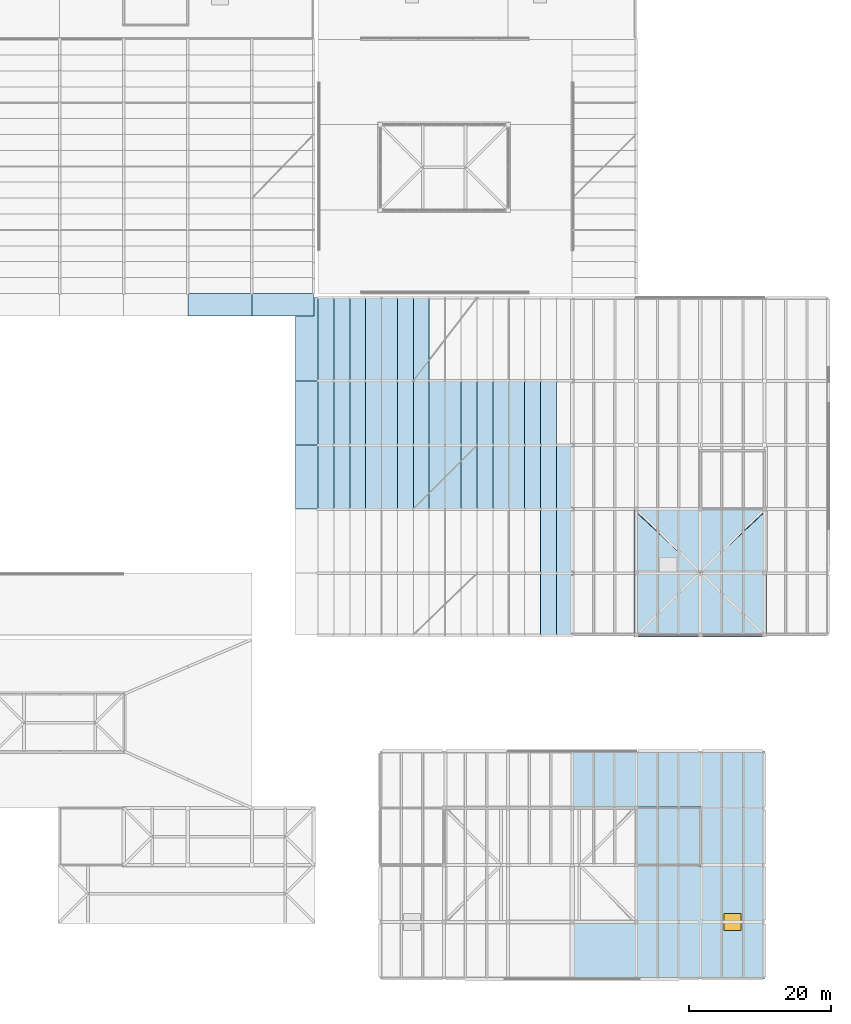
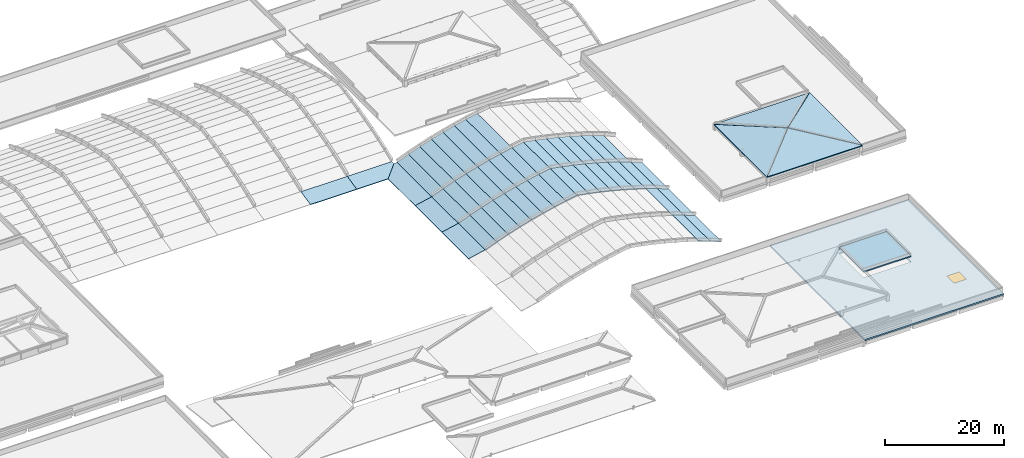
"""IFC4 building model written with IfcOpenShell, lengths in metres."""

from ifc_helpers import new_model, si_unit, direction, frame, origin, origin_2d, place, context, subcontext, project, spatial, polyline, rectangle, outline, extrude, material, layer, layer_set, type_object, element, fill, aggregate, save


model = new_model("IFC4")

# Units and contexts
model_context = context("Model", 3, precision=1e-05, world=origin(), true_north=direction((0.0, 1.0)))
body_context = subcontext(model_context, "Body", "Model", "MODEL_VIEW")
ifc_project = project(units=[si_unit("LENGTHUNIT", "METRE"), si_unit("AREAUNIT", "SQUARE_METRE"), si_unit("VOLUMEUNIT", "CUBIC_METRE"), si_unit("PLANEANGLEUNIT", "RADIAN"), si_unit("MASSUNIT", "GRAM", prefix="KILO")], contexts=[model_context])

# Site, building, storey
site_placement = place(None, origin())
site = spatial("IfcSite", under=ifc_project, at=site_placement, CompositionType="ELEMENT")
building_placement = place(site_placement, origin())
building = spatial("IfcBuilding", under=site, at=building_placement, Name="Zacnel Wholesale Market", CompositionType="ELEMENT")
storey_1_placement = place(building_placement, frame((0.0, 0.0, 20.300048828125)))
storey_1 = spatial("IfcBuildingStorey", under=building, at=storey_1_placement, Name="RF", CompositionType="ELEMENT", Elevation=20.300048828125)

# Slab
ifc_material_1 = material(Name="Precast concrete C45/55", Category="concrete")
ifc_layer_1 = layer(ifc_material_1, 0.239990234375)
ifc_layer_set_1 = layer_set([ifc_layer_1], Name="Precast concrete C45/55")
slab_type_1 = type_object("IfcSlabType", Name="SLB-CORE-RF240", PredefinedType="ROOF", material=ifc_layer_set_1)
slab_1_placement = place(storey_1_placement, frame((0.0, 0.0, 1.010009765625)))
element("IfcSlab", 1, at=slab_1_placement, inside=storey_1, type_object=slab_type_1, Name="Core C2 roof cap slab", PredefinedType="ROOF", context=body_context, shape_type="SweptSolid", body=[
    extrude(outline(polyline([(188.875, 15.875), (198.125, 15.875), (198.125, 24.125), (188.875, 24.125), (188.875, 15.875)])), origin(), (0.0, 0.0, 1.0), 0.239990234375),
])

# Roof, slab
ifc_material_2 = material(Name="Concrete C40/50", Category="concrete")
ifc_layer_2 = layer(ifc_material_2, 0.110107421875)
ifc_layer_set_2 = layer_set([ifc_layer_2], Name="Concrete C40/50")
roof_type_1 = type_object("IfcRoofType", Name="ROOF-BARREL-36M", PredefinedType="BARREL_ROOF", material=ifc_layer_set_2)
roof_1_placement = place(storey_1_placement, origin())
roof_1 = element("IfcRoof", 2, at=roof_1_placement, inside=storey_1, type_object=roof_type_1, Name="Parabolic barrel-shell roof V1N-W-07", PredefinedType="BARREL_ROOF")
ifc_material_3 = material(Name="Concrete C40/50", Category="concrete")
ifc_layer_3 = layer(ifc_material_3, 0.1298828125)
ifc_layer_set_3 = layer_set([ifc_layer_3], Name="Concrete C40/50")
slab_type_2 = type_object("IfcSlabType", Name="SLB-ROOF-EAVE-130", PredefinedType="ROOF", material=ifc_layer_set_3)
slab_2_placement = place(storey_1_placement, frame((126.0, 93.10009765625, -9.800048828125), z_axis=(0.0, -0.213685764849, 0.976902448508), x_axis=(1.0, 0.0, 0.0)))
slab_2 = element("IfcSlab", 3, at=slab_2_placement, type_object=slab_type_2, Name="Storm eave shell leaf V1N-W-07", PredefinedType="ROOF", context=body_context, shape_type="SweptSolid", body=[
    extrude(outline(polyline([(0.0, 0.0), (9.0, 0.0), (9.0, 3.2756097364297494), (0.0, 3.2756097364297494), (0.0, 0.0)])), origin(), (0.0, 0.0, -1.0), 0.1298828125),
])
aggregate(roof_1, [slab_2])

roof_2_placement = place(storey_1_placement, origin())
roof_2 = element("IfcRoof", 4, at=roof_2_placement, inside=storey_1, type_object=roof_type_1, Name="Parabolic barrel-shell roof V1N-W-08", PredefinedType="BARREL_ROOF")
slab_3_placement = place(storey_1_placement, frame((135.0, 93.10009765625, -9.800048828125), z_axis=(0.0, -0.213685764849, 0.976902448508), x_axis=(1.0, 0.0, 0.0)))
slab_3 = element("IfcSlab", 5, at=slab_3_placement, type_object=slab_type_2, Name="Storm eave shell leaf V1N-W-08", PredefinedType="ROOF", context=body_context, shape_type="SweptSolid", body=[
    extrude(outline(polyline([(0.0, 0.0), (8.699951171875, 0.0), (8.699951171875, 3.275609736429749), (0.0, 3.275609736429749), (0.0, 0.0)])), origin(), (0.0, 0.0, -1.0), 0.1298828125),
])
aggregate(roof_2, [slab_3])

roof_3_placement = place(storey_1_placement, origin())
roof_3 = element("IfcRoof", 6, at=roof_3_placement, inside=storey_1, type_object=roof_type_1, Name="Parabolic barrel-shell roof V1E-03", PredefinedType="BARREL_ROOF")
slab_4_placement = place(storey_1_placement, frame((141.10009765625, 66.0, -9.800048828125), z_axis=(-0.213685764849, 0.0, 0.976902448508), x_axis=(0.0, 1.0, 0.0)))
slab_4 = element("IfcSlab", 7, at=slab_4_placement, type_object=slab_type_2, Name="Storm eave shell leaf V1E-03", PredefinedType="ROOF", context=body_context, shape_type="SweptSolid", body=[
    extrude(outline(polyline([(0.0, 0.0), (9.0, 0.0), (9.0, -3.2756097364297494), (0.0, -3.2756097364297494), (0.0, 0.0)])), origin(), (0.0, 0.0, -1.0), 0.1298828125),
])

roof_4_placement = place(storey_1_placement, origin())
roof_4 = element("IfcRoof", 8, at=roof_4_placement, inside=storey_1, type_object=roof_type_1, Name="Parabolic barrel-shell roof V1E-04", PredefinedType="BARREL_ROOF")
slab_5_placement = place(storey_1_placement, frame((141.10009765625, 75.0, -9.800048828125), z_axis=(-0.213685764849, 0.0, 0.976902448508), x_axis=(0.0, 1.0, 0.0)))
slab_5 = element("IfcSlab", 9, at=slab_5_placement, type_object=slab_type_2, Name="Storm eave shell leaf V1E-04", PredefinedType="ROOF", context=body_context, shape_type="SweptSolid", body=[
    extrude(outline(polyline([(0.0, 0.0), (9.0, 0.0), (9.0, -3.2756097364297494), (0.0, -3.2756097364297494), (0.0, 0.0)])), origin(), (0.0, 0.0, -1.0), 0.1298828125),
])

roof_5_placement = place(storey_1_placement, origin())
roof_5 = element("IfcRoof", 10, at=roof_5_placement, inside=storey_1, type_object=roof_type_1, Name="Parabolic barrel-shell roof V1E-05", PredefinedType="BARREL_ROOF")
slab_6_placement = place(storey_1_placement, frame((141.10009765625, 84.0, -9.800048828125), z_axis=(-0.213685764849, 0.0, 0.976902448508), x_axis=(0.0, 1.0, 0.0)))
slab_6 = element("IfcSlab", 11, at=slab_6_placement, type_object=slab_type_2, Name="Storm eave shell leaf V1E-05", PredefinedType="ROOF", context=body_context, shape_type="SweptSolid", body=[
    extrude(outline(polyline([(0.0, 0.0), (11.699951171875, 0.0), (11.699951171875, -3.2756097364297494), (0.0, -3.2756097364297494), (0.0, 0.0)])), origin(), (0.0, 0.0, -1.0), 0.1298828125),
])

# Roof, slabs
ifc_material_4 = material(Name="Precast concrete C45/55", Category="concrete")
ifc_layer_4 = layer(ifc_material_4, 0.219970703125)
ifc_layer_set_4 = layer_set([ifc_layer_4], Name="Precast concrete C45/55")
roof_type_2 = type_object("IfcRoofType", Name="ROOF-PAVILION-COF", PredefinedType="PAVILION_ROOF", material=ifc_layer_set_4)
roof_6_placement = place(storey_1_placement, origin())
roof_6 = element("IfcRoof", 12, at=roof_6_placement, inside=storey_1, type_object=roof_type_2, Name="Hipped precast roof assembly STR-ROOF-V1ELAN", PredefinedType="PAVILION_ROOF")
ifc_material_5 = material(Name="Precast concrete C45/55", Category="concrete")
ifc_layer_5 = layer(ifc_material_5, 0.219970703125)
ifc_layer_set_5 = layer_set([ifc_layer_5], Name="Precast concrete C45/55")
slab_type_3 = type_object("IfcSlabType", Name="SLB-ROOF-LAN-220", PredefinedType="ROOF", material=ifc_layer_set_5)
slab_7_placement = place(storey_1_placement, frame((188.699951171875, 48.0, 1.25), z_axis=(0.0, -0.140669730371, 0.990056577655), x_axis=(1.0, 0.0, 0.0)))
slab_7 = element("IfcSlab", 13, at=slab_7_placement, type_object=slab_type_3, Name="Hipped roof facet STR-ROOF-V1ELAN-S", PredefinedType="ROOF", context=body_context, shape_type="SweptSolid", body=[
    extrude(outline(polyline([(0.0, 0.0), (18.60009765625, 0.0), (9.300048828125, 9.186314104058713), (0.0, 0.0)])), origin(), (0.0, 0.0, -1.0), 0.219970703125),
])
slab_8_placement = place(storey_1_placement, frame((207.300048828125, 48.0, 1.25), z_axis=(0.138429298666, 0.0, 0.99037231851), x_axis=(0.0, 1.0, 0.0)))
slab_8 = element("IfcSlab", 14, at=slab_8_placement, type_object=slab_type_3, Name="Hipped roof facet STR-ROOF-V1ELAN-E", PredefinedType="ROOF", context=body_context, shape_type="SweptSolid", body=[
    extrude(outline(polyline([(0.0, 0.0), (17.860107421875, 0.0), (9.14990234375, 9.33499151249394), (0.0, 0.0)])), origin(), (0.0, 0.0, -1.0), 0.219970703125),
])
slab_9_placement = place(storey_1_placement, frame((207.300048828125, 65.860107421875, 1.25), z_axis=(0.0, 0.147613266985, 0.989045157417), x_axis=(-1.0, 0.0, 0.0)))
slab_9 = element("IfcSlab", 15, at=slab_9_placement, type_object=slab_type_3, Name="Hipped roof facet STR-ROOF-V1ELAN-N", PredefinedType="ROOF", context=body_context, shape_type="SweptSolid", body=[
    extrude(outline(polyline([(0.0, 0.0), (18.60009765625, 0.0), (9.300048828125, 8.75089396269718), (0.0, 0.0)])), origin(), (0.0, 0.0, -1.0), 0.219970703125),
])
slab_10_placement = place(storey_1_placement, frame((188.699951171875, 65.860107421875, 1.25), z_axis=(-0.138429298666, 0.0, 0.99037231851), x_axis=(0.0, -1.0, 0.0)))
slab_10 = element("IfcSlab", 16, at=slab_10_placement, type_object=slab_type_3, Name="Hipped roof facet STR-ROOF-V1ELAN-W", PredefinedType="ROOF", context=body_context, shape_type="SweptSolid", body=[
    extrude(outline(polyline([(0.0, 0.0), (17.860107421875, 0.0), (8.710205078125, 9.33499151249394), (0.0, 0.0)])), origin(), (0.0, 0.0, -1.0), 0.219970703125),
])
aggregate(roof_6, [slab_7, slab_8, slab_9, slab_10])

roof_7_placement = place(storey_1_placement, origin())
roof_7 = element("IfcRoof", 17, at=roof_7_placement, inside=storey_1, type_object=roof_type_1, Name="Parabolic barrel-shell roof V1E-01", PredefinedType="BARREL_ROOF")
ifc_material_6 = material(Name="Concrete C40/50", Category="concrete")
ifc_layer_6 = layer(ifc_material_6, 0.110107421875)
ifc_layer_set_6 = layer_set([ifc_layer_6], Name="Concrete C40/50")
slab_type_4 = type_object("IfcSlabType", Name="SLB-ROOF-SHELL-110", PredefinedType="ROOF", material=ifc_layer_set_6)
slab_11_placement = place(storey_1_placement, frame((175.53759765625, 48.300048828125, -7.420166015625), z_axis=(0.337438907944, 0.0, 0.941347429701), x_axis=(0.0, 1.0, 0.0)))
slab_11 = element("IfcSlab", 18, at=slab_11_placement, type_object=slab_type_4, Name="Barrel-shell facet V1E-01-F15", PredefinedType="ROOF", context=body_context, shape_type="SweptSolid", body=[
    extrude(outline(polyline([(0.0, 0.0), (8.699951171875, 0.0), (8.699951171875, -2.370220708609927), (0.0, -2.370220708609927), (0.0, 0.0)])), origin(), (0.0, 0.0, -1.0), 0.110107421875),
])
slab_12_placement = place(storey_1_placement, frame((177.768798828125, 48.300048828125, -8.219970703125), z_axis=(0.366946359501, 0.0, 0.930242102492), x_axis=(0.0, 1.0, 0.0)))
slab_12 = element("IfcSlab", 19, at=slab_12_placement, type_object=slab_type_4, Name="Barrel-shell facet V1E-01-F16", PredefinedType="ROOF", context=body_context, shape_type="SweptSolid", body=[
    extrude(outline(polyline([(0.0, 0.0), (8.699951171875, 0.0), (8.699951171875, -2.3985166505558118), (0.0, -2.3985166505558118), (0.0, 0.0)])), origin(), (0.0, 0.0, -1.0), 0.110107421875),
])
aggregate(roof_7, [slab_11, slab_12])

roof_8_placement = place(storey_1_placement, origin())
roof_8 = element("IfcRoof", 20, at=roof_8_placement, inside=storey_1, type_object=roof_type_1, Name="Parabolic barrel-shell roof V1E-02", PredefinedType="BARREL_ROOF")
slab_13_placement = place(storey_1_placement, frame((175.53759765625, 57.0, -7.420166015625), z_axis=(0.337438907944, 0.0, 0.941347429701), x_axis=(0.0, 1.0, 0.0)))
slab_13 = element("IfcSlab", 21, at=slab_13_placement, type_object=slab_type_4, Name="Barrel-shell facet V1E-02-F15", PredefinedType="ROOF", context=body_context, shape_type="SweptSolid", body=[
    extrude(outline(polyline([(0.0, 0.0), (9.0, 0.0), (9.0, -2.370220708609927), (0.0, -2.370220708609927), (0.0, 0.0)])), origin(), (0.0, 0.0, -1.0), 0.110107421875),
])
slab_14_placement = place(storey_1_placement, frame((177.768798828125, 57.0, -8.219970703125), z_axis=(0.366946359501, 0.0, 0.930242102492), x_axis=(0.0, 1.0, 0.0)))
slab_14 = element("IfcSlab", 22, at=slab_14_placement, type_object=slab_type_4, Name="Barrel-shell facet V1E-02-F16", PredefinedType="ROOF", context=body_context, shape_type="SweptSolid", body=[
    extrude(outline(polyline([(0.0, 0.0), (9.0, 0.0), (9.0, -2.3985166505558118), (0.0, -2.3985166505558118), (0.0, 0.0)])), origin(), (0.0, 0.0, -1.0), 0.110107421875),
])
aggregate(roof_8, [slab_13, slab_14])

# Slab
slab_15_placement = place(storey_1_placement, frame((144.300048828125, 66.0, -9.10009765625), z_axis=(-0.366946359501, 0.0, 0.930242102492), x_axis=(0.0, 1.0, 0.0)))
slab_15 = element("IfcSlab", 23, at=slab_15_placement, type_object=slab_type_4, Name="Barrel-shell facet V1E-03-F01", PredefinedType="ROOF", context=body_context, shape_type="SweptSolid", body=[
    extrude(outline(polyline([(0.0, 0.0), (9.0, 0.0), (9.0, -2.3985166505558118), (0.0, -2.3985166505558118), (0.0, 0.0)])), origin(), (0.0, 0.0, -1.0), 0.110107421875),
])

slab_16_placement = place(storey_1_placement, frame((146.53125, 66.0, -8.219970703125), z_axis=(-0.337438907944, 0.0, 0.941347429701), x_axis=(0.0, 1.0, 0.0)))
slab_16 = element("IfcSlab", 24, at=slab_16_placement, type_object=slab_type_4, Name="Barrel-shell facet V1E-03-F02", PredefinedType="ROOF", context=body_context, shape_type="SweptSolid", body=[
    extrude(outline(polyline([(0.0, 0.0), (9.0, 0.0), (9.0, -2.370220708609927), (0.0, -2.370220708609927), (0.0, 0.0)])), origin(), (0.0, 0.0, -1.0), 0.110107421875),
])

slab_17_placement = place(storey_1_placement, frame((148.762451171875, 66.0, -7.420166015625), z_axis=(-0.307154883885, 0.0, 0.951659538546), x_axis=(0.0, 1.0, 0.0)))
slab_17 = element("IfcSlab", 25, at=slab_17_placement, type_object=slab_type_4, Name="Barrel-shell facet V1E-03-F03", PredefinedType="ROOF", context=body_context, shape_type="SweptSolid", body=[
    extrude(outline(polyline([(0.0, 0.0), (9.0, 0.0), (9.0, -2.344793723088677), (0.0, -2.344793723088677), (0.0, 0.0)])), origin(), (0.0, 0.0, -1.0), 0.110107421875),
])

slab_18_placement = place(storey_1_placement, frame((150.993896484375, 66.0, -6.699951171875), z_axis=(-0.275679528114, 0.0, 0.961249602226), x_axis=(0.0, 1.0, 0.0)))
slab_18 = element("IfcSlab", 26, at=slab_18_placement, type_object=slab_type_4, Name="Barrel-shell facet V1E-03-F04", PredefinedType="ROOF", context=body_context, shape_type="SweptSolid", body=[
    extrude(outline(polyline([(0.0, 0.0), (9.0, 0.0), (9.0, -2.3211465229312505), (0.0, -2.3211465229312505), (0.0, 0.0)])), origin(), (0.0, 0.0, -1.0), 0.110107421875),
])

slab_19_placement = place(storey_1_placement, frame((153.22509765625, 66.0, -6.06005859375), z_axis=(-0.251619964429, 0.0, 0.967826117389), x_axis=(0.0, 1.0, 0.0)))
slab_19 = element("IfcSlab", 27, at=slab_19_placement, type_object=slab_type_4, Name="Barrel-shell facet V1E-03-F05", PredefinedType="ROOF", context=body_context, shape_type="SweptSolid", body=[
    extrude(outline(polyline([(0.0, 0.0), (9.0, 0.0), (9.0, -2.305374004468665), (0.0, -2.305374004468665), (0.0, 0.0)])), origin(), (0.0, 0.0, -1.0), 0.110107421875),
])

slab_20_placement = place(storey_1_placement, frame((155.456298828125, 66.0, -5.47998046875), z_axis=(-0.226983688872, 0.0, 0.973898559906), x_axis=(0.0, 1.0, 0.0)))
slab_20 = element("IfcSlab", 28, at=slab_20_placement, type_object=slab_type_4, Name="Barrel-shell facet V1E-03-F06", PredefinedType="ROOF", context=body_context, shape_type="SweptSolid", body=[
    extrude(outline(polyline([(0.0, 0.0), (9.0, 0.0), (9.0, -2.2909995596371995), (0.0, -2.2909995596371995), (0.0, 0.0)])), origin(), (0.0, 0.0, -1.0), 0.110107421875),
])

slab_21_placement = place(storey_1_placement, frame((157.6875, 66.0, -4.9599609375), z_axis=(-0.201903890951, 0.0, 0.979405339386), x_axis=(0.0, 1.0, 0.0)))
slab_21 = element("IfcSlab", 29, at=slab_21_placement, type_object=slab_type_4, Name="Barrel-shell facet V1E-03-F07", PredefinedType="ROOF", context=body_context, shape_type="SweptSolid", body=[
    extrude(outline(polyline([(0.0, 0.0), (9.0, 0.0), (9.0, -2.2781182439465804), (0.0, -2.2781182439465804), (0.0, 0.0)])), origin(), (0.0, 0.0, -1.0), 0.110107421875),
])

slab_22_placement = place(storey_1_placement, frame((159.918701171875, 66.0, -4.5), z_axis=(-0.176420589484, 0.0, 0.984314876249), x_axis=(0.0, 1.0, 0.0)))
slab_22 = element("IfcSlab", 30, at=slab_22_placement, type_object=slab_type_4, Name="Barrel-shell facet V1E-03-F08", PredefinedType="ROOF", context=body_context, shape_type="SweptSolid", body=[
    extrude(outline(polyline([(0.0, 0.0), (9.0, 0.0), (9.0, -2.266755512602344), (0.0, -2.266755512602344), (0.0, 0.0)])), origin(), (0.0, 0.0, -1.0), 0.110107421875),
])

slab_23_placement = place(storey_1_placement, frame((162.14990234375, 66.0, -4.10009765625), z_axis=(0.176420589484, 0.0, 0.984314876249), x_axis=(0.0, 1.0, 0.0)))
slab_23 = element("IfcSlab", 31, at=slab_23_placement, type_object=slab_type_4, Name="Barrel-shell facet V1E-03-F09", PredefinedType="ROOF", context=body_context, shape_type="SweptSolid", body=[
    extrude(outline(polyline([(0.0, 0.0), (9.0, 0.0), (9.0, -2.266755512602344), (0.0, -2.266755512602344), (0.0, 0.0)])), origin(), (0.0, 0.0, -1.0), 0.110107421875),
])

slab_24_placement = place(storey_1_placement, frame((164.381103515625, 66.0, -4.5), z_axis=(0.201882701177, 0.0, 0.979409707408), x_axis=(0.0, 1.0, 0.0)))
slab_24 = element("IfcSlab", 32, at=slab_24_placement, type_object=slab_type_4, Name="Barrel-shell facet V1E-03-F10", PredefinedType="ROOF", context=body_context, shape_type="SweptSolid", body=[
    extrude(outline(polyline([(0.0, 0.0), (9.0, 0.0), (9.0, -2.2783573571115006), (0.0, -2.2783573571115006), (0.0, 0.0)])), origin(), (0.0, 0.0, -1.0), 0.110107421875),
])

slab_25_placement = place(storey_1_placement, frame((166.612548828125, 66.0, -4.9599609375), z_axis=(0.226983688872, 0.0, 0.973898559906), x_axis=(0.0, 1.0, 0.0)))
slab_25 = element("IfcSlab", 33, at=slab_25_placement, type_object=slab_type_4, Name="Barrel-shell facet V1E-03-F11", PredefinedType="ROOF", context=body_context, shape_type="SweptSolid", body=[
    extrude(outline(polyline([(0.0, 0.0), (9.0, 0.0), (9.0, -2.2909995596371995), (0.0, -2.2909995596371995), (0.0, 0.0)])), origin(), (0.0, 0.0, -1.0), 0.110107421875),
])

slab_26_placement = place(storey_1_placement, frame((168.84375, 66.0, -5.47998046875), z_axis=(0.251619964429, 0.0, 0.967826117389), x_axis=(0.0, 1.0, 0.0)))
slab_26 = element("IfcSlab", 34, at=slab_26_placement, type_object=slab_type_4, Name="Barrel-shell facet V1E-03-F12", PredefinedType="ROOF", context=body_context, shape_type="SweptSolid", body=[
    extrude(outline(polyline([(0.0, 0.0), (9.0, 0.0), (9.0, -2.305374004468665), (0.0, -2.305374004468665), (0.0, 0.0)])), origin(), (0.0, 0.0, -1.0), 0.110107421875),
])

slab_27_placement = place(storey_1_placement, frame((171.074951171875, 66.0, -6.06005859375), z_axis=(0.275651658171, 0.0, 0.961257594689), x_axis=(0.0, 1.0, 0.0)))
slab_27 = element("IfcSlab", 35, at=slab_27_placement, type_object=slab_type_4, Name="Barrel-shell facet V1E-03-F13", PredefinedType="ROOF", context=body_context, shape_type="SweptSolid", body=[
    extrude(outline(polyline([(0.0, 0.0), (9.0, 0.0), (9.0, -2.3213812039856103), (0.0, -2.3213812039856103), (0.0, 0.0)])), origin(), (0.0, 0.0, -1.0), 0.110107421875),
])

slab_28_placement = place(storey_1_placement, frame((173.306396484375, 66.0, -6.699951171875), z_axis=(0.307185321823, 0.0, 0.951649713947), x_axis=(0.0, 1.0, 0.0)))
slab_28 = element("IfcSlab", 36, at=slab_28_placement, type_object=slab_type_4, Name="Barrel-shell facet V1E-03-F14", PredefinedType="ROOF", context=body_context, shape_type="SweptSolid", body=[
    extrude(outline(polyline([(0.0, 0.0), (9.0, 0.0), (9.0, -2.3445613855333813), (0.0, -2.3445613855333813), (0.0, 0.0)])), origin(), (0.0, 0.0, -1.0), 0.110107421875),
])

slab_29_placement = place(storey_1_placement, frame((175.53759765625, 66.0, -7.420166015625), z_axis=(0.337438907944, 0.0, 0.941347429701), x_axis=(0.0, 1.0, 0.0)))
slab_29 = element("IfcSlab", 37, at=slab_29_placement, type_object=slab_type_4, Name="Barrel-shell facet V1E-03-F15", PredefinedType="ROOF", context=body_context, shape_type="SweptSolid", body=[
    extrude(outline(polyline([(0.0, 0.0), (9.0, 0.0), (9.0, -2.370220708609927), (0.0, -2.370220708609927), (0.0, 0.0)])), origin(), (0.0, 0.0, -1.0), 0.110107421875),
])

slab_30_placement = place(storey_1_placement, frame((177.768798828125, 66.0, -8.219970703125), z_axis=(0.366946359501, 0.0, 0.930242102492), x_axis=(0.0, 1.0, 0.0)))
slab_30 = element("IfcSlab", 38, at=slab_30_placement, type_object=slab_type_4, Name="Barrel-shell facet V1E-03-F16", PredefinedType="ROOF", context=body_context, shape_type="SweptSolid", body=[
    extrude(outline(polyline([(0.0, 0.0), (9.0, 0.0), (9.0, -2.3985166505558118), (0.0, -2.3985166505558118), (0.0, 0.0)])), origin(), (0.0, 0.0, -1.0), 0.110107421875),
])

aggregate(roof_3, [slab_15, slab_16, slab_17, slab_18, slab_19, slab_20, slab_21, slab_22, slab_23, slab_24, slab_25, slab_26, slab_27, slab_28, slab_29, slab_30, slab_4])

slab_31_placement = place(storey_1_placement, frame((144.300048828125, 75.0, -9.10009765625), z_axis=(-0.366946359501, 0.0, 0.930242102492), x_axis=(0.0, 1.0, 0.0)))
slab_31 = element("IfcSlab", 39, at=slab_31_placement, type_object=slab_type_4, Name="Barrel-shell facet V1E-04-F01", PredefinedType="ROOF", context=body_context, shape_type="SweptSolid", body=[
    extrude(outline(polyline([(0.0, 0.0), (9.0, 0.0), (9.0, -2.3985166505558118), (0.0, -2.3985166505558118), (0.0, 0.0)])), origin(), (0.0, 0.0, -1.0), 0.110107421875),
])

slab_32_placement = place(storey_1_placement, frame((146.53125, 75.0, -8.219970703125), z_axis=(-0.337438907944, 0.0, 0.941347429701), x_axis=(0.0, 1.0, 0.0)))
slab_32 = element("IfcSlab", 40, at=slab_32_placement, type_object=slab_type_4, Name="Barrel-shell facet V1E-04-F02", PredefinedType="ROOF", context=body_context, shape_type="SweptSolid", body=[
    extrude(outline(polyline([(0.0, 0.0), (9.0, 0.0), (9.0, -2.370220708609927), (0.0, -2.370220708609927), (0.0, 0.0)])), origin(), (0.0, 0.0, -1.0), 0.110107421875),
])

slab_33_placement = place(storey_1_placement, frame((148.762451171875, 75.0, -7.420166015625), z_axis=(-0.307154883885, 0.0, 0.951659538546), x_axis=(0.0, 1.0, 0.0)))
slab_33 = element("IfcSlab", 41, at=slab_33_placement, type_object=slab_type_4, Name="Barrel-shell facet V1E-04-F03", PredefinedType="ROOF", context=body_context, shape_type="SweptSolid", body=[
    extrude(outline(polyline([(0.0, 0.0), (9.0, 0.0), (9.0, -2.344793723088677), (0.0, -2.344793723088677), (0.0, 0.0)])), origin(), (0.0, 0.0, -1.0), 0.110107421875),
])

slab_34_placement = place(storey_1_placement, frame((150.993896484375, 75.0, -6.699951171875), z_axis=(-0.275679528114, 0.0, 0.961249602226), x_axis=(0.0, 1.0, 0.0)))
slab_34 = element("IfcSlab", 42, at=slab_34_placement, type_object=slab_type_4, Name="Barrel-shell facet V1E-04-F04", PredefinedType="ROOF", context=body_context, shape_type="SweptSolid", body=[
    extrude(outline(polyline([(0.0, 0.0), (9.0, 0.0), (9.0, -2.3211465229312505), (0.0, -2.3211465229312505), (0.0, 0.0)])), origin(), (0.0, 0.0, -1.0), 0.110107421875),
])

slab_35_placement = place(storey_1_placement, frame((153.22509765625, 75.0, -6.06005859375), z_axis=(-0.251619964429, 0.0, 0.967826117389), x_axis=(0.0, 1.0, 0.0)))
slab_35 = element("IfcSlab", 43, at=slab_35_placement, type_object=slab_type_4, Name="Barrel-shell facet V1E-04-F05", PredefinedType="ROOF", context=body_context, shape_type="SweptSolid", body=[
    extrude(outline(polyline([(0.0, 0.0), (9.0, 0.0), (9.0, -2.305374004468665), (0.0, -2.305374004468665), (0.0, 0.0)])), origin(), (0.0, 0.0, -1.0), 0.110107421875),
])

slab_36_placement = place(storey_1_placement, frame((155.456298828125, 75.0, -5.47998046875), z_axis=(-0.226983688872, 0.0, 0.973898559906), x_axis=(0.0, 1.0, 0.0)))
slab_36 = element("IfcSlab", 44, at=slab_36_placement, type_object=slab_type_4, Name="Barrel-shell facet V1E-04-F06", PredefinedType="ROOF", context=body_context, shape_type="SweptSolid", body=[
    extrude(outline(polyline([(0.0, 0.0), (9.0, 0.0), (9.0, -2.2909995596371995), (0.0, -2.2909995596371995), (0.0, 0.0)])), origin(), (0.0, 0.0, -1.0), 0.110107421875),
])

slab_37_placement = place(storey_1_placement, frame((157.6875, 75.0, -4.9599609375), z_axis=(-0.201903890951, 0.0, 0.979405339386), x_axis=(0.0, 1.0, 0.0)))
slab_37 = element("IfcSlab", 45, at=slab_37_placement, type_object=slab_type_4, Name="Barrel-shell facet V1E-04-F07", PredefinedType="ROOF", context=body_context, shape_type="SweptSolid", body=[
    extrude(outline(polyline([(0.0, 0.0), (9.0, 0.0), (9.0, -2.2781182439465804), (0.0, -2.2781182439465804), (0.0, 0.0)])), origin(), (0.0, 0.0, -1.0), 0.110107421875),
])

slab_38_placement = place(storey_1_placement, frame((159.918701171875, 75.0, -4.5), z_axis=(-0.176420589484, 0.0, 0.984314876249), x_axis=(0.0, 1.0, 0.0)))
slab_38 = element("IfcSlab", 46, at=slab_38_placement, type_object=slab_type_4, Name="Barrel-shell facet V1E-04-F08", PredefinedType="ROOF", context=body_context, shape_type="SweptSolid", body=[
    extrude(outline(polyline([(0.0, 0.0), (9.0, 0.0), (9.0, -2.266755512602344), (0.0, -2.266755512602344), (0.0, 0.0)])), origin(), (0.0, 0.0, -1.0), 0.110107421875),
])

slab_39_placement = place(storey_1_placement, frame((162.14990234375, 75.0, -4.10009765625), z_axis=(0.176420589484, 0.0, 0.984314876249), x_axis=(0.0, 1.0, 0.0)))
slab_39 = element("IfcSlab", 47, at=slab_39_placement, type_object=slab_type_4, Name="Barrel-shell facet V1E-04-F09", PredefinedType="ROOF", context=body_context, shape_type="SweptSolid", body=[
    extrude(outline(polyline([(0.0, 0.0), (9.0, 0.0), (9.0, -2.266755512602344), (0.0, -2.266755512602344), (0.0, 0.0)])), origin(), (0.0, 0.0, -1.0), 0.110107421875),
])

slab_40_placement = place(storey_1_placement, frame((164.381103515625, 75.0, -4.5), z_axis=(0.201882701177, 0.0, 0.979409707408), x_axis=(0.0, 1.0, 0.0)))
slab_40 = element("IfcSlab", 48, at=slab_40_placement, type_object=slab_type_4, Name="Barrel-shell facet V1E-04-F10", PredefinedType="ROOF", context=body_context, shape_type="SweptSolid", body=[
    extrude(outline(polyline([(0.0, 0.0), (9.0, 0.0), (9.0, -2.2783573571115006), (0.0, -2.2783573571115006), (0.0, 0.0)])), origin(), (0.0, 0.0, -1.0), 0.110107421875),
])

slab_41_placement = place(storey_1_placement, frame((166.612548828125, 75.0, -4.9599609375), z_axis=(0.226983688872, 0.0, 0.973898559906), x_axis=(0.0, 1.0, 0.0)))
slab_41 = element("IfcSlab", 49, at=slab_41_placement, type_object=slab_type_4, Name="Barrel-shell facet V1E-04-F11", PredefinedType="ROOF", context=body_context, shape_type="SweptSolid", body=[
    extrude(outline(polyline([(0.0, 0.0), (9.0, 0.0), (9.0, -2.2909995596371995), (0.0, -2.2909995596371995), (0.0, 0.0)])), origin(), (0.0, 0.0, -1.0), 0.110107421875),
])

slab_42_placement = place(storey_1_placement, frame((168.84375, 75.0, -5.47998046875), z_axis=(0.251619964429, 0.0, 0.967826117389), x_axis=(0.0, 1.0, 0.0)))
slab_42 = element("IfcSlab", 50, at=slab_42_placement, type_object=slab_type_4, Name="Barrel-shell facet V1E-04-F12", PredefinedType="ROOF", context=body_context, shape_type="SweptSolid", body=[
    extrude(outline(polyline([(0.0, 0.0), (9.0, 0.0), (9.0, -2.305374004468665), (0.0, -2.305374004468665), (0.0, 0.0)])), origin(), (0.0, 0.0, -1.0), 0.110107421875),
])

slab_43_placement = place(storey_1_placement, frame((171.074951171875, 75.0, -6.06005859375), z_axis=(0.275651658171, 0.0, 0.961257594689), x_axis=(0.0, 1.0, 0.0)))
slab_43 = element("IfcSlab", 51, at=slab_43_placement, type_object=slab_type_4, Name="Barrel-shell facet V1E-04-F13", PredefinedType="ROOF", context=body_context, shape_type="SweptSolid", body=[
    extrude(outline(polyline([(0.0, 0.0), (9.0, 0.0), (9.0, -2.3213812039856103), (0.0, -2.3213812039856103), (0.0, 0.0)])), origin(), (0.0, 0.0, -1.0), 0.110107421875),
])

slab_44_placement = place(storey_1_placement, frame((173.306396484375, 75.0, -6.699951171875), z_axis=(0.307185321823, 0.0, 0.951649713947), x_axis=(0.0, 1.0, 0.0)))
slab_44 = element("IfcSlab", 52, at=slab_44_placement, type_object=slab_type_4, Name="Barrel-shell facet V1E-04-F14", PredefinedType="ROOF", context=body_context, shape_type="SweptSolid", body=[
    extrude(outline(polyline([(0.0, 0.0), (9.0, 0.0), (9.0, -2.3445613855333813), (0.0, -2.3445613855333813), (0.0, 0.0)])), origin(), (0.0, 0.0, -1.0), 0.110107421875),
])

slab_45_placement = place(storey_1_placement, frame((175.53759765625, 75.0, -7.420166015625), z_axis=(0.337438907944, 0.0, 0.941347429701), x_axis=(0.0, 1.0, 0.0)))
slab_45 = element("IfcSlab", 53, at=slab_45_placement, type_object=slab_type_4, Name="Barrel-shell facet V1E-04-F15", PredefinedType="ROOF", context=body_context, shape_type="SweptSolid", body=[
    extrude(outline(polyline([(0.0, 0.0), (9.0, 0.0), (9.0, -2.370220708609927), (0.0, -2.370220708609927), (0.0, 0.0)])), origin(), (0.0, 0.0, -1.0), 0.110107421875),
])

aggregate(roof_4, [slab_31, slab_32, slab_33, slab_34, slab_35, slab_36, slab_37, slab_38, slab_39, slab_40, slab_41, slab_42, slab_43, slab_44, slab_45, slab_5])

slab_46_placement = place(storey_1_placement, frame((144.300048828125, 84.0, -9.10009765625), z_axis=(-0.366946359501, 0.0, 0.930242102492), x_axis=(0.0, 1.0, 0.0)))
slab_46 = element("IfcSlab", 54, at=slab_46_placement, type_object=slab_type_4, Name="Barrel-shell facet V1E-05-F01", PredefinedType="ROOF", context=body_context, shape_type="SweptSolid", body=[
    extrude(outline(polyline([(0.0, 0.0), (11.699951171875, 0.0), (11.699951171875, -2.3985166505558118), (0.0, -2.3985166505558118), (0.0, 0.0)])), origin(), (0.0, 0.0, -1.0), 0.110107421875),
])

slab_47_placement = place(storey_1_placement, frame((146.53125, 84.0, -8.219970703125), z_axis=(-0.337438907944, 0.0, 0.941347429701), x_axis=(0.0, 1.0, 0.0)))
slab_47 = element("IfcSlab", 55, at=slab_47_placement, type_object=slab_type_4, Name="Barrel-shell facet V1E-05-F02", PredefinedType="ROOF", context=body_context, shape_type="SweptSolid", body=[
    extrude(outline(polyline([(0.0, 0.0), (11.699951171875, 0.0), (11.699951171875, -2.370220708609927), (0.0, -2.370220708609927), (0.0, 0.0)])), origin(), (0.0, 0.0, -1.0), 0.110107421875),
])

slab_48_placement = place(storey_1_placement, frame((148.762451171875, 84.0, -7.420166015625), z_axis=(-0.307154883885, 0.0, 0.951659538546), x_axis=(0.0, 1.0, 0.0)))
slab_48 = element("IfcSlab", 56, at=slab_48_placement, type_object=slab_type_4, Name="Barrel-shell facet V1E-05-F03", PredefinedType="ROOF", context=body_context, shape_type="SweptSolid", body=[
    extrude(outline(polyline([(0.0, 0.0), (11.699951171875, 0.0), (11.699951171875, -2.344793723088677), (0.0, -2.344793723088677), (0.0, 0.0)])), origin(), (0.0, 0.0, -1.0), 0.110107421875),
])

slab_49_placement = place(storey_1_placement, frame((150.993896484375, 84.0, -6.699951171875), z_axis=(-0.275679528114, 0.0, 0.961249602226), x_axis=(0.0, 1.0, 0.0)))
slab_49 = element("IfcSlab", 57, at=slab_49_placement, type_object=slab_type_4, Name="Barrel-shell facet V1E-05-F04", PredefinedType="ROOF", context=body_context, shape_type="SweptSolid", body=[
    extrude(outline(polyline([(0.0, 0.0), (11.699951171875, 0.0), (11.699951171875, -2.3211465229312505), (0.0, -2.3211465229312505), (0.0, 0.0)])), origin(), (0.0, 0.0, -1.0), 0.110107421875),
])

slab_50_placement = place(storey_1_placement, frame((153.22509765625, 84.0, -6.06005859375), z_axis=(-0.251619964429, 0.0, 0.967826117389), x_axis=(0.0, 1.0, 0.0)))
slab_50 = element("IfcSlab", 58, at=slab_50_placement, type_object=slab_type_4, Name="Barrel-shell facet V1E-05-F05", PredefinedType="ROOF", context=body_context, shape_type="SweptSolid", body=[
    extrude(outline(polyline([(0.0, 0.0), (11.699951171875, 0.0), (11.699951171875, -2.305374004468665), (0.0, -2.305374004468665), (0.0, 0.0)])), origin(), (0.0, 0.0, -1.0), 0.110107421875),
])

slab_51_placement = place(storey_1_placement, frame((155.456298828125, 84.0, -5.47998046875), z_axis=(-0.226983688872, 0.0, 0.973898559906), x_axis=(0.0, 1.0, 0.0)))
slab_51 = element("IfcSlab", 59, at=slab_51_placement, type_object=slab_type_4, Name="Barrel-shell facet V1E-05-F06", PredefinedType="ROOF", context=body_context, shape_type="SweptSolid", body=[
    extrude(outline(polyline([(0.0, 0.0), (11.699951171875, 0.0), (11.699951171875, -2.2909995596371995), (0.0, -2.2909995596371995), (0.0, 0.0)])), origin(), (0.0, 0.0, -1.0), 0.110107421875),
])

slab_52_placement = place(storey_1_placement, frame((157.6875, 84.0, -4.9599609375), z_axis=(-0.201903890951, 0.0, 0.979405339386), x_axis=(0.0, 1.0, 0.0)))
slab_52 = element("IfcSlab", 60, at=slab_52_placement, type_object=slab_type_4, Name="Barrel-shell facet V1E-05-F07", PredefinedType="ROOF", context=body_context, shape_type="SweptSolid", body=[
    extrude(outline(polyline([(0.0, 0.0), (11.699951171875, 0.0), (11.699951171875, -2.2781182439465804), (0.0, -2.2781182439465804), (0.0, 0.0)])), origin(), (0.0, 0.0, -1.0), 0.110107421875),
])

aggregate(roof_5, [slab_46, slab_47, slab_48, slab_49, slab_50, slab_51, slab_52, slab_6])

# Roof, slab, opening
ifc_material_7 = material(Name="Precast concrete C45/55", Category="concrete")
ifc_layer_7 = layer(ifc_material_7, 0.280029296875)
ifc_layer_set_7 = layer_set([ifc_layer_7], Name="Precast concrete C45/55")
roof_type_3 = type_object("IfcRoofType", Name="ROOF-FLAT-PRECAST", PredefinedType="FLAT_ROOF", material=ifc_layer_set_7)
roof_9_placement = place(storey_1_placement, origin())
roof_9 = element("IfcRoof", 61, at=roof_9_placement, inside=storey_1, type_object=roof_type_3, Name="Precast roof assembly STR-ROOF-V5-ZIG", PredefinedType="FLAT_ROOF")
ifc_material_8 = material(Name="Precast concrete C45/55", Category="concrete")
ifc_layer_8 = layer(ifc_material_8, 0.300048828125)
ifc_layer_set_8 = layer_set([ifc_layer_8], Name="Precast concrete C45/55")
slab_type_5 = type_object("IfcSlabType", Name="SLB-ROOF-ZIG-300", PredefinedType="ROOF", material=ifc_layer_set_8)
slab_53_placement = place(storey_1_placement, frame((0.0, 0.0, -0.300048828125)))
slab_53 = element("IfcSlab", 62, at=slab_53_placement, type_object=slab_type_5, Name="Precast roof slab STR-ROOF-V5-ZIG/SLB2", PredefinedType="ROOF", context=body_context, shape_type="SweptSolid", body=[
    extrude(outline(polyline([(207.0, 0.0), (180.0, 0.0), (180.0, 32.0), (207.0, 32.0), (207.0, 0.0)]), holes=[polyline([(188.8701171875, 24.1298828125), (188.8701171875, 15.8701171875), (198.1298828125, 15.8701171875), (198.1298828125, 24.1298828125), (188.8701171875, 24.1298828125)])]), origin(), (0.0, 0.0, 1.0), 0.300048828125),
])
opening_placement = place(slab_53_placement, frame((202.5, 8.0, 0.0)))
opening = element("IfcOpeningElement", 63, at=opening_placement, cuts=slab_53, Name="Opening SK-01", PredefinedType="OPENING", context=body_context, shape_type="SweptSolid", body=[
    extrude(rectangle(XDim=2.39990234375, YDim=2.39990234375, at=origin_2d()), frame((0.0, 0.0, -0.010009765625)), (0.0, 0.0, 1.0), 0.320068359375),
])

# Storey
storey_2_placement = place(building_placement, frame((0.0, 0.0, 15.75)))
storey_2 = spatial("IfcBuildingStorey", under=building, at=storey_2_placement, Name="L04", CompositionType="ELEMENT", Elevation=15.75)

# Window
ifc_material_9 = material(Name="Laminated hurricane-impact low-E insulated glass", Category="glass")
window_type = type_object("IfcWindowType", Name="WIN-SKY-2400X2400", PartitioningType="SINGLE_PANEL", PredefinedType="SKYLIGHT", material=ifc_material_9)
window_placement = place(opening_placement, frame((0.0, 0.0, 0.25)))
window = element("IfcWindow", 64, at=window_placement, inside=storey_2, type_object=window_type, Name="Hurricane roof skylight 07", OverallHeight=2.39990234375, OverallWidth=2.39990234375, PartitioningType="SINGLE_PANEL", PredefinedType="SKYLIGHT", context=body_context, shape_type="SweptSolid", body=[
    extrude(rectangle(XDim=2.39990234375, YDim=2.39990234375, at=origin_2d()), origin(), (0.0, 0.0, 1.0), 0.050048828125),
])

fill(opening, window)

aggregate(roof_9, [slab_53])

save(model, "model.ifc")
